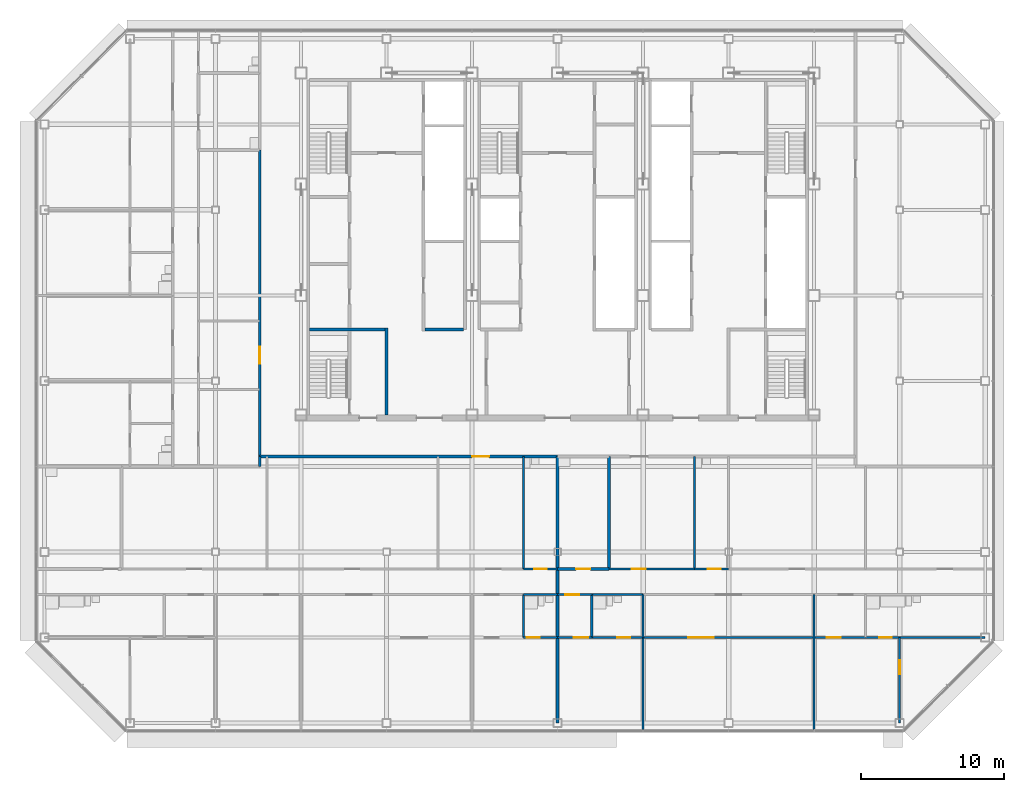
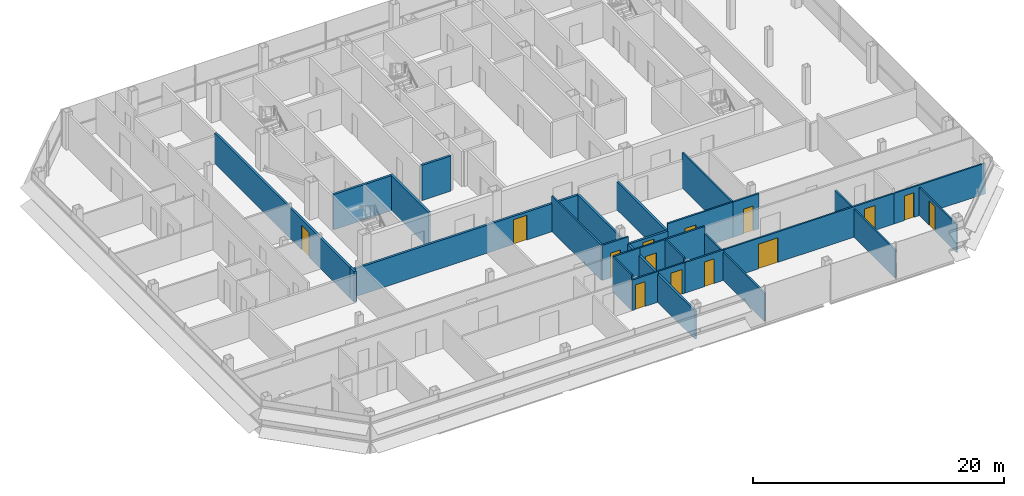
# One storey, part 22 of 28: 29 walls, 14 doors, 14 openings.
"""IFC4 building model written with IfcOpenShell, lengths in metres."""

from ifc_helpers import new_model, si_unit, direction, frame, frame_2d, origin, place, context, subcontext, project, spatial, rectangle, extrude, material, layer, layer_set, type_object, element, fill, save


model = new_model("IFC4")

# Units and contexts
model_context = context("Model", 3, precision=1e-05, world=origin(), true_north=direction((0.0, 1.0)))
body_context = subcontext(model_context, "Body", "Model", "MODEL_VIEW")
ifc_project = project(units=[si_unit("LENGTHUNIT", "METRE"), si_unit("AREAUNIT", "SQUARE_METRE"), si_unit("VOLUMEUNIT", "CUBIC_METRE"), si_unit("PLANEANGLEUNIT", "RADIAN"), si_unit("MASSUNIT", "GRAM", prefix="KILO")], contexts=[model_context])

# Site, building, storey
site_placement = place(None, origin())
site = spatial("IfcSite", under=ifc_project, at=site_placement, CompositionType="ELEMENT")
building_placement = place(site_placement, origin())
building = spatial("IfcBuilding", under=site, at=building_placement, Name="Sorahane Residences", CompositionType="ELEMENT")
storey_placement = place(building_placement, frame((0.0, 0.0, 266.60009765625)))
storey = spatial("IfcBuildingStorey", under=building, at=storey_placement, Name="L63", CompositionType="ELEMENT", Elevation=266.60009765625)

# Wall, opening, door
ifc_material_1 = material(Name="Concrete blockwork C20 wall", Category="masonry")
ifc_layer_1 = layer(ifc_material_1, 0.199951171875)
ifc_layer_set_1 = layer_set([ifc_layer_1], Name="Corridor wall 200 EI 120")
wall_type_1 = type_object("IfcWallType", Name="Corridor wall 200 EI 120", PredefinedType="SOLIDWALL", material=ifc_layer_set_1)
wall_1_placement = place(storey_placement, frame((3.10009765625, 18.699951171875, 0.0), z_axis=(0.0, 0.0, 1.0), x_axis=(0.0, 1.0, 0.0)))
wall_1 = element("IfcWall", 1, at=wall_1_placement, inside=storey, type_object=wall_type_1, Name="L63 corridor wall", PredefinedType="SOLIDWALL", context=body_context, shape_type="SweptSolid", body=[
    extrude(rectangle(XDim=21.5, YDim=0.199951171875, at=frame_2d((10.75, 0.0))), origin(), (0.0, 0.0, 1.0), 2.969970703125),
])
opening_1_placement = place(wall_1_placement, frame((6.5, 0.0, 0.0)))
opening_1 = element("IfcOpeningElement", 2, at=opening_1_placement, cuts=wall_1, Name="Opening L63-46", PredefinedType="OPENING", context=body_context, shape_type="SweptSolid", body=[
    extrude(rectangle(XDim=1.199951171875, YDim=2.39990234375, at=frame_2d((0.60009765625, 1.199951171875))), frame((0.0, 0.10986328125, 0.0), z_axis=(0.0, -1.0, 0.0), x_axis=(1.0, 0.0, 0.0)), (0.0, 0.0, 1.0), 0.219970703125),
])
ifc_material_2 = material(Name="Timber veneered fire door", Category="wood")
door_type_1 = type_object("IfcDoorType", Name="Flat entrance door 1200x2400 FD60", OperationType="NOTDEFINED", PredefinedType="DOOR", material=ifc_material_2)
door_1_placement = place(opening_1_placement, origin())
door_1 = element("IfcDoor", 3, at=door_1_placement, inside=storey, type_object=door_type_1, Name="Flat entrance door L63-46", OperationType="SINGLE_SWING_LEFT", OverallHeight=2.39990234375, OverallWidth=1.199951171875, PredefinedType="DOOR", context=body_context, shape_type="SweptSolid", body=[
    extrude(rectangle(XDim=1.199951171875, YDim=2.39990234375, at=frame_2d((0.60009765625, 1.199951171875))), frame((0.0, 0.02490234375, 0.0), z_axis=(0.0, -1.0, 0.0), x_axis=(1.0, 0.0, 0.0)), (0.0, 0.0, 1.0), 0.050048828125),
])
fill(opening_1, door_1)

wall_2_placement = place(storey_placement, frame((3.10009765625, 18.699951171875, 0.0), z_axis=(0.0, 0.0, 1.0), x_axis=(1.0, 0.0, 0.0)))
wall_2 = element("IfcWall", 4, at=wall_2_placement, inside=storey, type_object=wall_type_1, Name="L63 corridor wall", PredefinedType="SOLIDWALL", context=body_context, shape_type="SweptSolid", body=[
    extrude(rectangle(XDim=20.89990234375, YDim=0.199951171875, at=frame_2d((10.449951171875, 0.0))), origin(), (0.0, 0.0, 1.0), 2.719970703125),
])
opening_2_placement = place(wall_2_placement, frame((14.89990234375, 0.0, 0.0)))
opening_2 = element("IfcOpeningElement", 5, at=opening_2_placement, cuts=wall_2, Name="Opening L63-44", PredefinedType="OPENING", context=body_context, shape_type="SweptSolid", body=[
    extrude(rectangle(XDim=1.199951171875, YDim=2.39990234375, at=frame_2d((0.60009765625, 1.199951171875))), frame((0.0, 0.10986328125, 0.0), z_axis=(0.0, -1.0, 0.0), x_axis=(1.0, 0.0, 0.0)), (0.0, 0.0, 1.0), 0.219970703125),
])
door_2_placement = place(opening_2_placement, frame((1.199951171875, 0.0, 0.0), z_axis=(0.0, 0.0, 1.0), x_axis=(-1.0, 0.0, 0.0)))
door_2 = element("IfcDoor", 6, at=door_2_placement, inside=storey, type_object=door_type_1, Name="Flat entrance door L63-44", OperationType="SINGLE_SWING_LEFT", OverallHeight=2.39990234375, OverallWidth=1.199951171875, PredefinedType="DOOR", context=body_context, shape_type="SweptSolid", body=[
    extrude(rectangle(XDim=1.199951171875, YDim=2.39990234375, at=frame_2d((0.60009765625, 1.199951171875))), frame((0.0, 0.02490234375, 0.0), z_axis=(0.0, -1.0, 0.0), x_axis=(1.0, 0.0, 0.0)), (0.0, 0.0, 1.0), 0.050048828125),
])
fill(opening_2, door_2)

# Walls
ifc_material_3 = material(Name="Concrete C30", Category="concrete")
ifc_layer_2 = layer(ifc_material_3, 0.199951171875)
ifc_layer_set_2 = layer_set([ifc_layer_2], Name="Front room wall 200 EI 120")
wall_type_2 = type_object("IfcWallType", Name="Front room wall 200 EI 120", PredefinedType="PARTITIONING", material=ifc_layer_set_2)
wall_3_placement = place(storey_placement, frame((12.0, 21.60009765625, 0.0), z_axis=(0.0, 0.0, 1.0), x_axis=(0.0, 1.0, 0.0)))
element("IfcWall", 7, at=wall_3_placement, inside=storey, type_object=wall_type_2, Name="L63 front room wall", PredefinedType="PARTITIONING", context=body_context, shape_type="SweptSolid", body=[
    extrude(rectangle(XDim=6.099853515625, YDim=0.199951171875, at=frame_2d((3.0498046875, 0.0))), origin(), (0.0, 0.0, 1.0), 3.419921875),
])
ifc_material_4 = material(Name="Concrete blockwork C20 wall", Category="masonry")
ifc_layer_3 = layer(ifc_material_4, 0.199951171875)
ifc_layer_set_3 = layer_set([ifc_layer_3], Name="Kitchen wall 200 EI 180")
wall_type_3 = type_object("IfcWallType", Name="Kitchen wall 200 EI 180", PredefinedType="SOLIDWALL", material=ifc_layer_set_3)
for number, where, z_axis, x_axis, name in (
    (8, (24.0, 10.800048828125, 0.0), (0.0, 0.0, 1.0), (0.0, 1.0, 0.0), "L63 kitchen wall"),
    (9, (27.60009765625, 10.800048828125, 0.0), (0.0, 0.0, 1.0), (0.0, 1.0, 0.0), "L63 kitchen wall"),
):
    element("IfcWall", number, at=place(storey_placement, frame(where, z_axis=z_axis, x_axis=x_axis)), inside=storey, type_object=wall_type_3, Name=name, PredefinedType="SOLIDWALL", context=body_context, shape_type="SweptSolid", body=[
        extrude(rectangle(XDim=7.89990234375, YDim=0.199951171875, at=frame_2d((3.949951171875, 0.0))), origin(), (0.0, 0.0, 1.0), 2.719970703125),
    ])

# Wall, opening, door
wall_4_placement = place(storey_placement, frame((24.0, 10.800048828125, 0.0), z_axis=(0.0, 0.0, 1.0), x_axis=(1.0, 0.0, 0.0)))
wall_4 = element("IfcWall", 10, at=wall_4_placement, inside=storey, type_object=wall_type_3, Name="L63 kitchen wall", PredefinedType="SOLIDWALL", context=body_context, shape_type="SweptSolid", body=[
    extrude(rectangle(XDim=3.60009765625, YDim=0.199951171875, at=frame_2d((1.800048828125, 0.0))), origin(), (0.0, 0.0, 1.0), 2.719970703125),
])
opening_3_placement = place(wall_4_placement, frame((1.300048828125, 0.0, 0.0)))
opening_3 = element("IfcOpeningElement", 11, at=opening_3_placement, cuts=wall_4, Name="Opening L63-17", PredefinedType="OPENING", context=body_context, shape_type="SweptSolid", body=[
    extrude(rectangle(XDim=1.0, YDim=2.39990234375, at=frame_2d((0.5, 1.199951171875))), frame((0.0, 0.10986328125, 0.0), z_axis=(0.0, -1.0, 0.0), x_axis=(1.0, 0.0, 0.0)), (0.0, 0.0, 1.0), 0.219970703125),
])
ifc_material_5 = material(Name="Steel", Category="steel")
door_type_2 = type_object("IfcDoorType", Name="Kitchen door 1000x2400 FD120", OperationType="NOTDEFINED", PredefinedType="DOOR", material=ifc_material_5)
door_3_placement = place(opening_3_placement, origin())
door_3 = element("IfcDoor", 12, at=door_3_placement, inside=storey, type_object=door_type_2, Name="Kitchen door L63-17", OperationType="SINGLE_SWING_LEFT", OverallHeight=2.39990234375, OverallWidth=1.0, PredefinedType="DOOR", context=body_context, shape_type="SweptSolid", body=[
    extrude(rectangle(XDim=1.0, YDim=2.39990234375, at=frame_2d((0.5, 1.199951171875))), frame((0.0, 0.02490234375, 0.0), z_axis=(0.0, -1.0, 0.0), x_axis=(1.0, 0.0, 0.0)), (0.0, 0.0, 1.0), 0.050048828125),
])
fill(opening_3, door_3)

# Walls
ifc_material_6 = material(Name="Gypsum board partition on steel studs", Category="steel")
ifc_layer_4 = layer(ifc_material_6, 0.14990234375)
ifc_layer_set_4 = layer_set([ifc_layer_4], Name="Partition 150 EI 90")
wall_type_4 = type_object("IfcWallType", Name="Partition 150 EI 90", PredefinedType="PARTITIONING", material=ifc_layer_set_4)
wall_5_placement = place(storey_placement, frame((30.0, -0.60009765625, 0.0), z_axis=(0.0, 0.0, 1.0), x_axis=(0.0, 1.0, 0.0)))
element("IfcWall", 13, at=wall_5_placement, inside=storey, type_object=wall_type_4, Name="L63 partition", PredefinedType="PARTITIONING", context=body_context, shape_type="SweptSolid", body=[
    extrude(rectangle(XDim=6.60009765625, YDim=0.14990234375, at=frame_2d((3.300048828125, 0.0))), origin(), (0.0, 0.0, 1.0), 2.719970703125),
])
wall_6_placement = place(storey_placement, frame((42.0, -0.60009765625, 0.0), z_axis=(0.0, 0.0, 1.0), x_axis=(0.0, 1.0, 0.0)))
element("IfcWall", 14, at=wall_6_placement, inside=storey, type_object=wall_type_4, Name="L63 partition", PredefinedType="PARTITIONING", context=body_context, shape_type="SweptSolid", body=[
    extrude(rectangle(XDim=9.60009765625, YDim=0.14990234375, at=frame_2d((4.800048828125, 0.0))), origin(), (0.0, 0.0, 1.0), 2.719970703125),
])

# Wall, opening, door
wall_7_placement = place(storey_placement, frame((48.0, 0.0, 0.0), z_axis=(0.0, 0.0, 1.0), x_axis=(0.0, 1.0, 0.0)))
wall_7 = element("IfcWall", 15, at=wall_7_placement, inside=storey, type_object=wall_type_4, Name="L63 partition", PredefinedType="PARTITIONING", context=body_context, shape_type="SweptSolid", body=[
    extrude(rectangle(XDim=6.0, YDim=0.14990234375, at=frame_2d((3.0, 0.0))), origin(), (0.0, 0.0, 1.0), 2.719970703125),
])
opening_4_placement = place(wall_7_placement, frame((3.39990234375, 0.0, 0.0)))
opening_4 = element("IfcOpeningElement", 16, at=opening_4_placement, cuts=wall_7, Name="Opening L63-28", PredefinedType="OPENING", context=body_context, shape_type="SweptSolid", body=[
    extrude(rectangle(XDim=1.0, YDim=2.39990234375, at=frame_2d((0.5, 1.199951171875))), frame((0.0, 0.0849609375, 0.0), z_axis=(0.0, -1.0, 0.0), x_axis=(1.0, 0.0, 0.0)), (0.0, 0.0, 1.0), 0.169921875),
])
ifc_material_7 = material(Name="Timber veneered fire door", Category="wood")
door_type_3 = type_object("IfcDoorType", Name="Room door 1000x2400 FD30", OperationType="NOTDEFINED", PredefinedType="DOOR", material=ifc_material_7)
door_4_placement = place(opening_4_placement, frame((1.0, 0.0, 0.0), z_axis=(0.0, 0.0, 1.0), x_axis=(-1.0, 0.0, 0.0)))
door_4 = element("IfcDoor", 17, at=door_4_placement, inside=storey, type_object=door_type_3, Name="Room door L63-28", OperationType="SINGLE_SWING_RIGHT", OverallHeight=2.39990234375, OverallWidth=1.0, PredefinedType="DOOR", context=body_context, shape_type="SweptSolid", body=[
    extrude(rectangle(XDim=1.0, YDim=2.39990234375, at=frame_2d((0.5, 1.199951171875))), frame((0.0, 0.02490234375, 0.0), z_axis=(0.0, -1.0, 0.0), x_axis=(1.0, 0.0, 0.0)), (0.0, 0.0, 1.0), 0.050048828125),
])
fill(opening_4, door_4)

wall_8_placement = place(storey_placement, frame((27.60009765625, 10.800048828125, 0.0), z_axis=(0.0, 0.0, 1.0), x_axis=(1.0, 0.0, 0.0)))
wall_8 = element("IfcWall", 18, at=wall_8_placement, inside=storey, type_object=wall_type_4, Name="L63 partition", PredefinedType="PARTITIONING", context=body_context, shape_type="SweptSolid", body=[
    extrude(rectangle(XDim=6.0, YDim=0.14990234375, at=frame_2d((3.0, 0.0))), origin(), (0.0, 0.0, 1.0), 3.419921875),
])
opening_5_placement = place(wall_8_placement, frame((1.60009765625, 0.0, 0.0)))
opening_5 = element("IfcOpeningElement", 19, at=opening_5_placement, cuts=wall_8, Name="Opening L63-16", PredefinedType="OPENING", context=body_context, shape_type="SweptSolid", body=[
    extrude(rectangle(XDim=1.0, YDim=2.39990234375, at=frame_2d((0.5, 1.199951171875))), frame((0.0, 0.0849609375, 0.0), z_axis=(0.0, -1.0, 0.0), x_axis=(1.0, 0.0, 0.0)), (0.0, 0.0, 1.0), 0.169921875),
])
door_5_placement = place(opening_5_placement, frame((1.0, 0.0, 0.0), z_axis=(0.0, 0.0, 1.0), x_axis=(-1.0, 0.0, 0.0)))
door_5 = element("IfcDoor", 20, at=door_5_placement, inside=storey, type_object=door_type_3, Name="Room door L63-16", OperationType="SINGLE_SWING_LEFT", OverallHeight=2.39990234375, OverallWidth=1.0, PredefinedType="DOOR", context=body_context, shape_type="SweptSolid", body=[
    extrude(rectangle(XDim=1.0, YDim=2.39990234375, at=frame_2d((0.5, 1.199951171875))), frame((0.0, 0.02490234375, 0.0), z_axis=(0.0, -1.0, 0.0), x_axis=(1.0, 0.0, 0.0)), (0.0, 0.0, 1.0), 0.050048828125),
])
fill(opening_5, door_5)

wall_9_placement = place(storey_placement, frame((24.0, 6.0, 0.0), z_axis=(0.0, 0.0, 1.0), x_axis=(1.0, 0.0, 0.0)))
wall_9 = element("IfcWall", 21, at=wall_9_placement, inside=storey, type_object=wall_type_4, Name="L63 partition", PredefinedType="PARTITIONING", context=body_context, shape_type="SweptSolid", body=[
    extrude(rectangle(XDim=2.39990234375, YDim=0.14990234375, at=frame_2d((1.199951171875, 0.0))), origin(), (0.0, 0.0, 1.0), 2.969970703125),
])
opening_6_placement = place(wall_9_placement, frame((1.14990234375, 0.0, 0.0)))
opening_6 = element("IfcOpeningElement", 22, at=opening_6_placement, cuts=wall_9, Name="Opening L63-24", PredefinedType="OPENING", context=body_context, shape_type="SweptSolid", body=[
    extrude(rectangle(XDim=1.0, YDim=2.39990234375, at=frame_2d((0.5, 1.199951171875))), frame((0.0, 0.0849609375, 0.0), z_axis=(0.0, -1.0, 0.0), x_axis=(1.0, 0.0, 0.0)), (0.0, 0.0, 1.0), 0.169921875),
])
door_6_placement = place(opening_6_placement, frame((1.0, 0.0, 0.0), z_axis=(0.0, 0.0, 1.0), x_axis=(-1.0, 0.0, 0.0)))
door_6 = element("IfcDoor", 23, at=door_6_placement, inside=storey, type_object=door_type_3, Name="Room door L63-24", OperationType="SINGLE_SWING_LEFT", OverallHeight=2.39990234375, OverallWidth=1.0, PredefinedType="DOOR", context=body_context, shape_type="SweptSolid", body=[
    extrude(rectangle(XDim=1.0, YDim=2.39990234375, at=frame_2d((0.5, 1.199951171875))), frame((0.0, 0.02490234375, 0.0), z_axis=(0.0, -1.0, 0.0), x_axis=(1.0, 0.0, 0.0)), (0.0, 0.0, 1.0), 0.050048828125),
])
fill(opening_6, door_6)

# Wall, openings, doors
wall_10_placement = place(storey_placement, frame((30.0, 6.0, 0.0), z_axis=(0.0, 0.0, 1.0), x_axis=(1.0, 0.0, 0.0)))
wall_10 = element("IfcWall", 24, at=wall_10_placement, inside=storey, type_object=wall_type_4, Name="L63 partition", PredefinedType="PARTITIONING", context=body_context, shape_type="SweptSolid", body=[
    extrude(rectangle(XDim=15.60009765625, YDim=0.14990234375, at=frame_2d((7.800048828125, 0.0))), origin(), (0.0, 0.0, 1.0), 2.969970703125),
])
opening_7_placement = place(wall_10_placement, frame((3.159912109375, 0.0, 0.0)))
opening_7 = element("IfcOpeningElement", 25, at=opening_7_placement, cuts=wall_10, Name="Opening L63-26", PredefinedType="OPENING", context=body_context, shape_type="SweptSolid", body=[
    extrude(rectangle(XDim=1.800048828125, YDim=2.39990234375, at=frame_2d((0.89990234375, 1.199951171875))), frame((0.0, 0.0849609375, 0.0), z_axis=(0.0, -1.0, 0.0), x_axis=(1.0, 0.0, 0.0)), (0.0, 0.0, 1.0), 0.169921875),
])
opening_8_placement = place(wall_10_placement, frame((12.8798828125, 0.0, 0.0)))
opening_8 = element("IfcOpeningElement", 26, at=opening_8_placement, cuts=wall_10, Name="Opening L63-27", PredefinedType="OPENING", context=body_context, shape_type="SweptSolid", body=[
    extrude(rectangle(XDim=1.0, YDim=2.39990234375, at=frame_2d((0.5, 1.199951171875))), frame((0.0, 0.0849609375, 0.0), z_axis=(0.0, -1.0, 0.0), x_axis=(1.0, 0.0, 0.0)), (0.0, 0.0, 1.0), 0.169921875),
])
ifc_material_8 = material(Name="Timber veneered fire door", Category="wood")
door_type_4 = type_object("IfcDoorType", Name="Double door 1800x2400 FD30", OperationType="NOTDEFINED", PredefinedType="DOOR", material=ifc_material_8)
door_7_placement = place(opening_7_placement, frame((1.800048828125, 0.0, 0.0), z_axis=(0.0, 0.0, 1.0), x_axis=(-1.0, 0.0, 0.0)))
door_7 = element("IfcDoor", 27, at=door_7_placement, inside=storey, type_object=door_type_4, Name="Double door L63-26", OperationType="SINGLE_SWING_RIGHT", OverallHeight=2.39990234375, OverallWidth=1.800048828125, PredefinedType="DOOR", context=body_context, shape_type="SweptSolid", body=[
    extrude(rectangle(XDim=1.800048828125, YDim=2.39990234375, at=frame_2d((0.89990234375, 1.199951171875))), frame((0.0, 0.02490234375, 0.0), z_axis=(0.0, -1.0, 0.0), x_axis=(1.0, 0.0, 0.0)), (0.0, 0.0, 1.0), 0.050048828125),
])
fill(opening_7, door_7)
door_8_placement = place(opening_8_placement, frame((1.0, 0.0, 0.0), z_axis=(0.0, 0.0, 1.0), x_axis=(-1.0, 0.0, 0.0)))
door_8 = element("IfcDoor", 28, at=door_8_placement, inside=storey, type_object=door_type_3, Name="Room door L63-27", OperationType="SINGLE_SWING_RIGHT", OverallHeight=2.39990234375, OverallWidth=1.0, PredefinedType="DOOR", context=body_context, shape_type="SweptSolid", body=[
    extrude(rectangle(XDim=1.0, YDim=2.39990234375, at=frame_2d((0.5, 1.199951171875))), frame((0.0, 0.02490234375, 0.0), z_axis=(0.0, -1.0, 0.0), x_axis=(1.0, 0.0, 0.0)), (0.0, 0.0, 1.0), 0.050048828125),
])
fill(opening_8, door_8)

# Wall, opening, door
wall_11_placement = place(storey_placement, frame((24.0, 9.0, 0.0), z_axis=(0.0, 0.0, 1.0), x_axis=(1.0, 0.0, 0.0)))
wall_11 = element("IfcWall", 29, at=wall_11_placement, inside=storey, type_object=wall_type_4, Name="L63 partition", PredefinedType="PARTITIONING", context=body_context, shape_type="SweptSolid", body=[
    extrude(rectangle(XDim=2.39990234375, YDim=0.14990234375, at=frame_2d((1.199951171875, 0.0))), origin(), (0.0, 0.0, 1.0), 3.419921875),
])
opening_9_placement = place(wall_11_placement, frame((0.52001953125, 0.0, 0.0)))
opening_9 = element("IfcOpeningElement", 30, at=opening_9_placement, cuts=wall_11, Name="Opening L63-21", PredefinedType="OPENING", context=body_context, shape_type="SweptSolid", body=[
    extrude(rectangle(XDim=1.0, YDim=2.39990234375, at=frame_2d((0.5, 1.199951171875))), frame((0.0, 0.0849609375, 0.0), z_axis=(0.0, -1.0, 0.0), x_axis=(1.0, 0.0, 0.0)), (0.0, 0.0, 1.0), 0.169921875),
])
door_9_placement = place(opening_9_placement, frame((1.0, 0.0, 0.0), z_axis=(0.0, 0.0, 1.0), x_axis=(-1.0, 0.0, 0.0)))
door_9 = element("IfcDoor", 31, at=door_9_placement, inside=storey, type_object=door_type_3, Name="Room door L63-21", OperationType="SINGLE_SWING_RIGHT", OverallHeight=2.39990234375, OverallWidth=1.0, PredefinedType="DOOR", context=body_context, shape_type="SweptSolid", body=[
    extrude(rectangle(XDim=1.0, YDim=2.39990234375, at=frame_2d((0.5, 1.199951171875))), frame((0.0, 0.02490234375, 0.0), z_axis=(0.0, -1.0, 0.0), x_axis=(1.0, 0.0, 0.0)), (0.0, 0.0, 1.0), 0.050048828125),
])
fill(opening_9, door_9)

# Walls
ifc_material_9 = material(Name="Concrete blockwork C20 wall", Category="masonry")
ifc_layer_5 = layer(ifc_material_9, 0.199951171875)
ifc_layer_set_5 = layer_set([ifc_layer_5], Name="Party wall 200 EI 120")
wall_type_5 = type_object("IfcWallType", Name="Party wall 200 EI 120", PredefinedType="SOLIDWALL", material=ifc_layer_set_5)
wall_12_placement = place(storey_placement, frame((24.0, 0.0, 0.0), z_axis=(0.0, 0.0, 1.0), x_axis=(0.0, 1.0, 0.0)))
element("IfcWall", 32, at=wall_12_placement, inside=storey, type_object=wall_type_5, Name="L63 party wall", PredefinedType="SOLIDWALL", context=body_context, shape_type="SweptSolid", body=[
    extrude(rectangle(XDim=10.800048828125, YDim=0.199951171875, at=frame_2d((5.39990234375, 0.0))), origin(), (0.0, 0.0, 1.0), 2.719970703125),
])
wall_13_placement = place(storey_placement, frame((3.10009765625, 18.0, 0.0), z_axis=(0.0, 0.0, 1.0), x_axis=(0.0, 1.0, 0.0)))
element("IfcWall", 33, at=wall_13_placement, inside=storey, type_object=wall_type_5, Name="L63 party wall", PredefinedType="SOLIDWALL", context=body_context, shape_type="SweptSolid", body=[
    extrude(rectangle(XDim=0.699951171875, YDim=0.199951171875, at=frame_2d((0.35009765625, 0.0))), origin(), (0.0, 0.0, 1.0), 2.969970703125),
])
ifc_material_10 = material(Name="Concrete C30", Category="concrete")
ifc_layer_6 = layer(ifc_material_10, 0.199951171875)
ifc_layer_set_6 = layer_set([ifc_layer_6], Name="Service room partition 200 EI 60")
wall_type_6 = type_object("IfcWallType", Name="Service room partition 200 EI 60", PredefinedType="PARTITIONING", material=ifc_layer_set_6)
wall_14_placement = place(storey_placement, frame((14.699951171875, 27.60009765625, 0.0), z_axis=(0.0, 0.0, 1.0), x_axis=(1.0, 0.0, 0.0)))
element("IfcWall", 34, at=wall_14_placement, inside=storey, type_object=wall_type_6, Name="L63 service room wall", PredefinedType="PARTITIONING", context=body_context, shape_type="SweptSolid", body=[
    extrude(rectangle(XDim=2.699951171875, YDim=0.199951171875, at=frame_2d((1.35009765625, 0.0))), origin(), (0.0, 0.0, 1.0), 3.419921875),
])
ifc_material_11 = material(Name="Concrete C30", Category="concrete")
ifc_layer_7 = layer(ifc_material_11, 0.199951171875)
ifc_layer_set_7 = layer_set([ifc_layer_7], Name="Stair enclosure wall 200 EI 120")
wall_type_7 = type_object("IfcWallType", Name="Stair enclosure wall 200 EI 120", PredefinedType="SOLIDWALL", material=ifc_layer_set_7)
wall_15_placement = place(storey_placement, frame((6.60009765625, 27.60009765625, 0.0), z_axis=(0.0, 0.0, 1.0), x_axis=(1.0, 0.0, 0.0)))
element("IfcWall", 35, at=wall_15_placement, inside=storey, type_object=wall_type_7, Name="L63 stair enclosure wall", PredefinedType="SOLIDWALL", context=body_context, shape_type="SweptSolid", body=[
    extrude(rectangle(XDim=5.2998046875, YDim=0.199951171875, at=frame_2d((2.64990234375, 0.0))), origin(), (0.0, 0.0, 1.0), 3.419921875),
])
ifc_material_12 = material(Name="Gypsum board partition on steel studs", Category="steel")
ifc_layer_8 = layer(ifc_material_12, 0.14990234375)
ifc_layer_set_8 = layer_set([ifc_layer_8], Name="Wet wall 150 EI 90")
wall_type_8 = type_object("IfcWallType", Name="Wet wall 150 EI 90", PredefinedType="PARTITIONING", material=ifc_layer_set_8)
wall_16_placement = place(storey_placement, frame((21.60009765625, 6.0, 0.0), z_axis=(0.0, 0.0, 1.0), x_axis=(0.0, 1.0, 0.0)))
element("IfcWall", 36, at=wall_16_placement, inside=storey, type_object=wall_type_8, Name="L63 wet wall", PredefinedType="PARTITIONING", context=body_context, shape_type="SweptSolid", body=[
    extrude(rectangle(XDim=3.0, YDim=0.14990234375, at=frame_2d((1.5, 0.0))), origin(), (0.0, 0.0, 1.0), 3.419921875),
])
wall_17_placement = place(storey_placement, frame((21.60009765625, 10.800048828125, 0.0), z_axis=(0.0, 0.0, 1.0), x_axis=(0.0, 1.0, 0.0)))
element("IfcWall", 37, at=wall_17_placement, inside=storey, type_object=wall_type_8, Name="L63 wet wall", PredefinedType="PARTITIONING", context=body_context, shape_type="SweptSolid", body=[
    extrude(rectangle(XDim=7.89990234375, YDim=0.14990234375, at=frame_2d((3.949951171875, 0.0))), origin(), (0.0, 0.0, 1.0), 3.419921875),
])
wall_18_placement = place(storey_placement, frame((26.39990234375, 6.0, 0.0), z_axis=(0.0, 0.0, 1.0), x_axis=(0.0, 1.0, 0.0)))
element("IfcWall", 38, at=wall_18_placement, inside=storey, type_object=wall_type_8, Name="L63 wet wall", PredefinedType="PARTITIONING", context=body_context, shape_type="SweptSolid", body=[
    extrude(rectangle(XDim=3.0, YDim=0.14990234375, at=frame_2d((1.5, 0.0))), origin(), (0.0, 0.0, 1.0), 3.419921875),
])
wall_19_placement = place(storey_placement, frame((30.0, 6.0, 0.0), z_axis=(0.0, 0.0, 1.0), x_axis=(0.0, 1.0, 0.0)))
element("IfcWall", 39, at=wall_19_placement, inside=storey, type_object=wall_type_8, Name="L63 wet wall", PredefinedType="PARTITIONING", context=body_context, shape_type="SweptSolid", body=[
    extrude(rectangle(XDim=3.0, YDim=0.14990234375, at=frame_2d((1.5, 0.0))), origin(), (0.0, 0.0, 1.0), 2.719970703125),
])
wall_20_placement = place(storey_placement, frame((33.60009765625, 10.800048828125, 0.0), z_axis=(0.0, 0.0, 1.0), x_axis=(0.0, 1.0, 0.0)))
element("IfcWall", 40, at=wall_20_placement, inside=storey, type_object=wall_type_8, Name="L63 wet wall", PredefinedType="PARTITIONING", context=body_context, shape_type="SweptSolid", body=[
    extrude(rectangle(XDim=7.89990234375, YDim=0.14990234375, at=frame_2d((3.949951171875, 0.0))), origin(), (0.0, 0.0, 1.0), 3.419921875),
])

# Wall, opening, door
wall_21_placement = place(storey_placement, frame((21.60009765625, 10.800048828125, 0.0), z_axis=(0.0, 0.0, 1.0), x_axis=(1.0, 0.0, 0.0)))
wall_21 = element("IfcWall", 41, at=wall_21_placement, inside=storey, type_object=wall_type_8, Name="L63 wet wall", PredefinedType="PARTITIONING", context=body_context, shape_type="SweptSolid", body=[
    extrude(rectangle(XDim=2.39990234375, YDim=0.14990234375, at=frame_2d((1.199951171875, 0.0))), origin(), (0.0, 0.0, 1.0), 3.419921875),
])
opening_10_placement = place(wall_21_placement, frame((0.75, 0.0, 0.0)))
opening_10 = element("IfcOpeningElement", 42, at=opening_10_placement, cuts=wall_21, Name="Opening L63-05", PredefinedType="OPENING", context=body_context, shape_type="SweptSolid", body=[
    extrude(rectangle(XDim=0.89990234375, YDim=2.39990234375, at=frame_2d((0.449951171875, 1.199951171875))), frame((0.0, 0.0849609375, 0.0), z_axis=(0.0, -1.0, 0.0), x_axis=(1.0, 0.0, 0.0)), (0.0, 0.0, 1.0), 0.169921875),
])
ifc_material_13 = material(Name="Timber veneered fire door", Category="wood")
door_type_5 = type_object("IfcDoorType", Name="Bathroom door 900x2400 FD30", OperationType="NOTDEFINED", PredefinedType="DOOR", material=ifc_material_13)
door_10_placement = place(opening_10_placement, frame((0.89990234375, 0.0, 0.0), z_axis=(0.0, 0.0, 1.0), x_axis=(-1.0, 0.0, 0.0)))
door_10 = element("IfcDoor", 43, at=door_10_placement, inside=storey, type_object=door_type_5, Name="Bathroom door L63-05", OperationType="SINGLE_SWING_RIGHT", OverallHeight=2.39990234375, OverallWidth=0.89990234375, PredefinedType="DOOR", context=body_context, shape_type="SweptSolid", body=[
    extrude(rectangle(XDim=0.89990234375, YDim=2.39990234375, at=frame_2d((0.449951171875, 1.199951171875))), frame((0.0, 0.02490234375, 0.0), z_axis=(0.0, -1.0, 0.0), x_axis=(1.0, 0.0, 0.0)), (0.0, 0.0, 1.0), 0.050048828125),
])
fill(opening_10, door_10)

wall_22_placement = place(storey_placement, frame((33.60009765625, 10.800048828125, 0.0), z_axis=(0.0, 0.0, 1.0), x_axis=(1.0, 0.0, 0.0)))
wall_22 = element("IfcWall", 44, at=wall_22_placement, inside=storey, type_object=wall_type_8, Name="L63 wet wall", PredefinedType="PARTITIONING", context=body_context, shape_type="SweptSolid", body=[
    extrude(rectangle(XDim=2.39990234375, YDim=0.14990234375, at=frame_2d((1.199951171875, 0.0))), origin(), (0.0, 0.0, 1.0), 3.419921875),
])
opening_11_placement = place(wall_22_placement, frame((0.949951171875, 0.0, 0.0)))
opening_11 = element("IfcOpeningElement", 45, at=opening_11_placement, cuts=wall_22, Name="Opening L63-18", PredefinedType="OPENING", context=body_context, shape_type="SweptSolid", body=[
    extrude(rectangle(XDim=0.89990234375, YDim=2.39990234375, at=frame_2d((0.449951171875, 1.199951171875))), frame((0.0, 0.0849609375, 0.0), z_axis=(0.0, -1.0, 0.0), x_axis=(1.0, 0.0, 0.0)), (0.0, 0.0, 1.0), 0.169921875),
])
door_11_placement = place(opening_11_placement, frame((0.89990234375, 0.0, 0.0), z_axis=(0.0, 0.0, 1.0), x_axis=(-1.0, 0.0, 0.0)))
door_11 = element("IfcDoor", 46, at=door_11_placement, inside=storey, type_object=door_type_5, Name="Bathroom door L63-18", OperationType="SINGLE_SWING_RIGHT", OverallHeight=2.39990234375, OverallWidth=0.89990234375, PredefinedType="DOOR", context=body_context, shape_type="SweptSolid", body=[
    extrude(rectangle(XDim=0.89990234375, YDim=2.39990234375, at=frame_2d((0.449951171875, 1.199951171875))), frame((0.0, 0.02490234375, 0.0), z_axis=(0.0, -1.0, 0.0), x_axis=(1.0, 0.0, 0.0)), (0.0, 0.0, 1.0), 0.050048828125),
])
fill(opening_11, door_11)

wall_23_placement = place(storey_placement, frame((21.60009765625, 6.0, 0.0), z_axis=(0.0, 0.0, 1.0), x_axis=(1.0, 0.0, 0.0)))
wall_23 = element("IfcWall", 47, at=wall_23_placement, inside=storey, type_object=wall_type_8, Name="L63 wet wall", PredefinedType="PARTITIONING", context=body_context, shape_type="SweptSolid", body=[
    extrude(rectangle(XDim=2.39990234375, YDim=0.14990234375, at=frame_2d((1.199951171875, 0.0))), origin(), (0.0, 0.0, 1.0), 2.969970703125),
])
opening_12_placement = place(wall_23_placement, frame((0.25, 0.0, 0.0)))
opening_12 = element("IfcOpeningElement", 48, at=opening_12_placement, cuts=wall_23, Name="Opening L63-15", PredefinedType="OPENING", context=body_context, shape_type="SweptSolid", body=[
    extrude(rectangle(XDim=0.89990234375, YDim=2.39990234375, at=frame_2d((0.449951171875, 1.199951171875))), frame((0.0, 0.0849609375, 0.0), z_axis=(0.0, -1.0, 0.0), x_axis=(1.0, 0.0, 0.0)), (0.0, 0.0, 1.0), 0.169921875),
])
door_12_placement = place(opening_12_placement, frame((0.89990234375, 0.0, 0.0), z_axis=(0.0, 0.0, 1.0), x_axis=(-1.0, 0.0, 0.0)))
door_12 = element("IfcDoor", 49, at=door_12_placement, inside=storey, type_object=door_type_5, Name="Bathroom door L63-15", OperationType="SINGLE_SWING_RIGHT", OverallHeight=2.39990234375, OverallWidth=0.89990234375, PredefinedType="DOOR", context=body_context, shape_type="SweptSolid", body=[
    extrude(rectangle(XDim=0.89990234375, YDim=2.39990234375, at=frame_2d((0.449951171875, 1.199951171875))), frame((0.0, 0.02490234375, 0.0), z_axis=(0.0, -1.0, 0.0), x_axis=(1.0, 0.0, 0.0)), (0.0, 0.0, 1.0), 0.050048828125),
])
fill(opening_12, door_12)

wall_24_placement = place(storey_placement, frame((26.39990234375, 6.0, 0.0), z_axis=(0.0, 0.0, 1.0), x_axis=(1.0, 0.0, 0.0)))
wall_24 = element("IfcWall", 50, at=wall_24_placement, inside=storey, type_object=wall_type_8, Name="L63 wet wall", PredefinedType="PARTITIONING", context=body_context, shape_type="SweptSolid", body=[
    extrude(rectangle(XDim=3.60009765625, YDim=0.14990234375, at=frame_2d((1.800048828125, 0.0))), origin(), (0.0, 0.0, 1.0), 2.969970703125),
])
opening_13_placement = place(wall_24_placement, frame((1.7900390625, 0.0, 0.0)))
opening_13 = element("IfcOpeningElement", 51, at=opening_13_placement, cuts=wall_24, Name="Opening L63-25", PredefinedType="OPENING", context=body_context, shape_type="SweptSolid", body=[
    extrude(rectangle(XDim=0.89990234375, YDim=2.39990234375, at=frame_2d((0.449951171875, 1.199951171875))), frame((0.0, 0.0849609375, 0.0), z_axis=(0.0, -1.0, 0.0), x_axis=(1.0, 0.0, 0.0)), (0.0, 0.0, 1.0), 0.169921875),
])
door_13_placement = place(opening_13_placement, frame((0.89990234375, 0.0, 0.0), z_axis=(0.0, 0.0, 1.0), x_axis=(-1.0, 0.0, 0.0)))
door_13 = element("IfcDoor", 52, at=door_13_placement, inside=storey, type_object=door_type_5, Name="Bathroom door L63-25", OperationType="SINGLE_SWING_LEFT", OverallHeight=2.39990234375, OverallWidth=0.89990234375, PredefinedType="DOOR", context=body_context, shape_type="SweptSolid", body=[
    extrude(rectangle(XDim=0.89990234375, YDim=2.39990234375, at=frame_2d((0.449951171875, 1.199951171875))), frame((0.0, 0.02490234375, 0.0), z_axis=(0.0, -1.0, 0.0), x_axis=(1.0, 0.0, 0.0)), (0.0, 0.0, 1.0), 0.050048828125),
])
fill(opening_13, door_13)

wall_25_placement = place(storey_placement, frame((45.60009765625, 6.0, 0.0), z_axis=(0.0, 0.0, 1.0), x_axis=(1.0, 0.0, 0.0)))
wall_25 = element("IfcWall", 53, at=wall_25_placement, inside=storey, type_object=wall_type_8, Name="L63 wet wall", PredefinedType="PARTITIONING", context=body_context, shape_type="SweptSolid", body=[
    extrude(rectangle(XDim=8.39990234375, YDim=0.14990234375, at=frame_2d((4.199951171875, 0.0))), origin(), (0.0, 0.0, 1.0), 2.969970703125),
])
opening_14_placement = place(wall_25_placement, frame((0.949951171875, 0.0, 0.0)))
opening_14 = element("IfcOpeningElement", 54, at=opening_14_placement, cuts=wall_25, Name="Opening L63-29", PredefinedType="OPENING", context=body_context, shape_type="SweptSolid", body=[
    extrude(rectangle(XDim=0.89990234375, YDim=2.39990234375, at=frame_2d((0.449951171875, 1.199951171875))), frame((0.0, 0.0849609375, 0.0), z_axis=(0.0, -1.0, 0.0), x_axis=(1.0, 0.0, 0.0)), (0.0, 0.0, 1.0), 0.169921875),
])
door_14_placement = place(opening_14_placement, frame((0.89990234375, 0.0, 0.0), z_axis=(0.0, 0.0, 1.0), x_axis=(-1.0, 0.0, 0.0)))
door_14 = element("IfcDoor", 55, at=door_14_placement, inside=storey, type_object=door_type_5, Name="Bathroom door L63-29", OperationType="SINGLE_SWING_LEFT", OverallHeight=2.39990234375, OverallWidth=0.89990234375, PredefinedType="DOOR", context=body_context, shape_type="SweptSolid", body=[
    extrude(rectangle(XDim=0.89990234375, YDim=2.39990234375, at=frame_2d((0.449951171875, 1.199951171875))), frame((0.0, 0.02490234375, 0.0), z_axis=(0.0, -1.0, 0.0), x_axis=(1.0, 0.0, 0.0)), (0.0, 0.0, 1.0), 0.050048828125),
])
fill(opening_14, door_14)

# Walls
wall_26_placement = place(storey_placement, frame((21.60009765625, 9.0, 0.0), z_axis=(0.0, 0.0, 1.0), x_axis=(1.0, 0.0, 0.0)))
element("IfcWall", 56, at=wall_26_placement, inside=storey, type_object=wall_type_8, Name="L63 wet wall", PredefinedType="PARTITIONING", context=body_context, shape_type="SweptSolid", body=[
    extrude(rectangle(XDim=2.39990234375, YDim=0.14990234375, at=frame_2d((1.199951171875, 0.0))), origin(), (0.0, 0.0, 1.0), 3.419921875),
])
wall_27_placement = place(storey_placement, frame((26.39990234375, 9.0, 0.0), z_axis=(0.0, 0.0, 1.0), x_axis=(1.0, 0.0, 0.0)))
element("IfcWall", 57, at=wall_27_placement, inside=storey, type_object=wall_type_8, Name="L63 wet wall", PredefinedType="PARTITIONING", context=body_context, shape_type="SweptSolid", body=[
    extrude(rectangle(XDim=3.60009765625, YDim=0.14990234375, at=frame_2d((1.800048828125, 0.0))), origin(), (0.0, 0.0, 1.0), 3.419921875),
])

save(model, "model.ifc")
